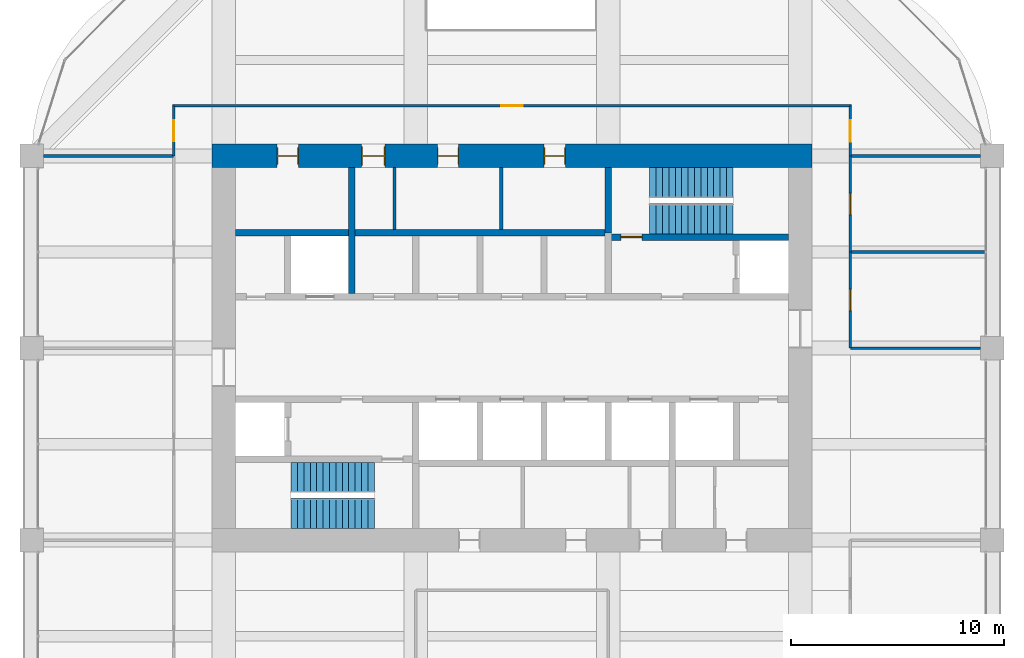
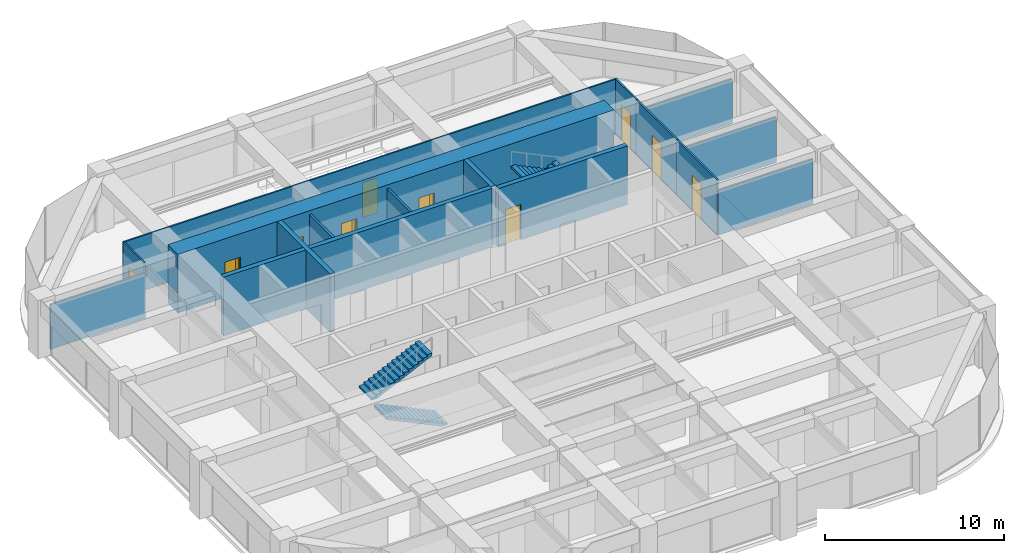
# One storey, part 43 of 44: 16 walls, 10 doors, 4 stair flights, 10 openings, 2 elements without a shape of their own.
"""IFC4 building model written with IfcOpenShell, lengths in metres."""

from ifc_helpers import new_model, si_unit, direction, frame, frame_2d, origin, place, context, subcontext, project, spatial, polyline, rectangle, outline, extrude, material, layer, layer_set, type_object, element, fill, aggregate, save


model = new_model("IFC4")

# Units and contexts
model_context = context("Model", 3, precision=1e-05, world=origin(), true_north=direction((0.0, 1.0)))
body_context = subcontext(model_context, "Body", "Model", "MODEL_VIEW")
ifc_project = project(units=[si_unit("LENGTHUNIT", "METRE"), si_unit("AREAUNIT", "SQUARE_METRE"), si_unit("VOLUMEUNIT", "CUBIC_METRE"), si_unit("PLANEANGLEUNIT", "RADIAN"), si_unit("MASSUNIT", "GRAM", prefix="KILO")], contexts=[model_context])

# Site, building, storey
site_placement = place(None, origin())
site = spatial("IfcSite", under=ifc_project, at=site_placement, CompositionType="ELEMENT")
building_placement = place(site_placement, origin())
building = spatial("IfcBuilding", under=site, at=building_placement, Name="Zorevar Civic Tower", CompositionType="ELEMENT")
storey_placement = place(building_placement, frame((0.0, 0.0, 295.39990234375)))
storey = spatial("IfcBuildingStorey", under=building, at=storey_placement, Name="L72", CompositionType="ELEMENT", Elevation=295.39990234375)

# Wall, openings, doors
ifc_material_1 = material(Name="Concrete C50/60", Category="concrete")
ifc_layer_1 = layer(ifc_material_1, 1.10009765625)
ifc_layer_set_1 = layer_set([ifc_layer_1], Name="Core wall 1100")
wall_type_1 = type_object("IfcWallType", Name="Core wall 1100", PredefinedType="SHEAR", material=ifc_layer_set_1)
wall_1_placement = place(storey_placement, frame((45.550048828125, 36.0, 0.0), z_axis=(0.0, 0.0, 1.0), x_axis=(-1.0, 0.0, 0.0)))
wall_1 = element("IfcWall", 1, at=wall_1_placement, inside=storey, type_object=wall_type_1, Name="Core wall N L72", PredefinedType="SHEAR", context=body_context, shape_type="SweptSolid", body=[
    extrude(rectangle(XDim=28.10009765625, YDim=1.10009765625, at=frame_2d((14.050048828125, 0.0))), origin(), (0.0, 0.0, 1.0), 4.0),
])
opening_1_placement = place(wall_1_placement, frame((11.550048828125, 0.0, 0.0)))
opening_1 = element("IfcOpeningElement", 2, at=opening_1_placement, cuts=wall_1, Name="Opening L72.07", PredefinedType="OPENING", context=body_context, shape_type="SweptSolid", body=[
    extrude(rectangle(XDim=1.0, YDim=2.39990234375, at=frame_2d((0.5, 1.199951171875))), frame((0.0, 0.56005859375, 0.0), z_axis=(0.0, -1.0, 0.0), x_axis=(1.0, 0.0, 0.0)), (0.0, 0.0, 1.0), 1.1201171875),
])
opening_2_placement = place(wall_1_placement, frame((16.550048828125, 0.0, 0.0)))
opening_2 = element("IfcOpeningElement", 3, at=opening_2_placement, cuts=wall_1, Name="Opening L72.08", PredefinedType="OPENING", context=body_context, shape_type="SweptSolid", body=[
    extrude(rectangle(XDim=1.0, YDim=2.39990234375, at=frame_2d((0.5, 1.199951171875))), frame((0.0, 0.56005859375, 0.0), z_axis=(0.0, -1.0, 0.0), x_axis=(1.0, 0.0, 0.0)), (0.0, 0.0, 1.0), 1.1201171875),
])
opening_3_placement = place(wall_1_placement, frame((20.0, 0.0, 0.0)))
opening_3 = element("IfcOpeningElement", 4, at=opening_3_placement, cuts=wall_1, Name="Opening L72.09", PredefinedType="OPENING", context=body_context, shape_type="SweptSolid", body=[
    extrude(rectangle(XDim=1.10009765625, YDim=2.39990234375, at=frame_2d((0.550048828125, 1.199951171875))), frame((0.0, 0.56005859375, 0.0), z_axis=(0.0, -1.0, 0.0), x_axis=(1.0, 0.0, 0.0)), (0.0, 0.0, 1.0), 1.1201171875),
])
opening_4_placement = place(wall_1_placement, frame((24.050048828125, 0.0, 0.0)))
opening_4 = element("IfcOpeningElement", 5, at=opening_4_placement, cuts=wall_1, Name="Opening L72.10", PredefinedType="OPENING", context=body_context, shape_type="SweptSolid", body=[
    extrude(rectangle(XDim=1.0, YDim=2.39990234375, at=frame_2d((0.5, 1.199951171875))), frame((0.0, 0.56005859375, 0.0), z_axis=(0.0, -1.0, 0.0), x_axis=(1.0, 0.0, 0.0)), (0.0, 0.0, 1.0), 1.1201171875),
])
ifc_material_2 = material(Name="Timber door set", Category="wood")
door_type_1 = type_object("IfcDoorType", Name="Door D1 1000x2400", OperationType="SINGLE_SWING_LEFT", PredefinedType="DOOR", material=ifc_material_2)
door_1_placement = place(opening_1_placement, origin())
door_1 = element("IfcDoor", 6, at=door_1_placement, inside=storey, type_object=door_type_1, Name="Door L72 06", OperationType="SINGLE_SWING_LEFT", OverallHeight=2.39990234375, OverallWidth=1.0, PredefinedType="DOOR", context=body_context, shape_type="SweptSolid", body=[
    extrude(rectangle(XDim=1.0, YDim=2.39990234375, at=frame_2d((0.5, 1.199951171875))), frame((0.0, 0.02490234375, 0.0), z_axis=(0.0, -1.0, 0.0), x_axis=(1.0, 0.0, 0.0)), (0.0, 0.0, 1.0), 0.050048828125),
    extrude(rectangle(XDim=0.04, YDim=2.39990234375, at=frame_2d((0.02001953125, 1.199951171875))), frame((0.0, 0.39990234375, 0.0), z_axis=(0.0, -1.0, 0.0), x_axis=(1.0, 0.0, 0.0)), (0.0, 0.0, 1.0), 0.800048828125),
    extrude(rectangle(XDim=0.04, YDim=2.39990234375, at=frame_2d((0.97998046875, 1.199951171875))), frame((0.0, 0.39990234375, 0.0), z_axis=(0.0, -1.0, 0.0), x_axis=(1.0, 0.0, 0.0)), (0.0, 0.0, 1.0), 0.800048828125),
    extrude(rectangle(XDim=1.0, YDim=0.04, at=frame_2d((0.5, 2.3798828125))), frame((0.0, 0.39990234375, 0.0), z_axis=(0.0, -1.0, 0.0), x_axis=(1.0, 0.0, 0.0)), (0.0, 0.0, 1.0), 0.800048828125),
])
fill(opening_1, door_1)
door_2_placement = place(opening_2_placement, origin())
door_2 = element("IfcDoor", 7, at=door_2_placement, inside=storey, type_object=door_type_1, Name="Door L72 07", OperationType="SINGLE_SWING_RIGHT", OverallHeight=2.39990234375, OverallWidth=1.0, PredefinedType="DOOR", context=body_context, shape_type="SweptSolid", body=[
    extrude(rectangle(XDim=1.0, YDim=2.39990234375, at=frame_2d((0.5, 1.199951171875))), frame((0.0, 0.02490234375, 0.0), z_axis=(0.0, -1.0, 0.0), x_axis=(1.0, 0.0, 0.0)), (0.0, 0.0, 1.0), 0.050048828125),
    extrude(rectangle(XDim=0.04, YDim=2.39990234375, at=frame_2d((0.02001953125, 1.199951171875))), frame((0.0, 0.39990234375, 0.0), z_axis=(0.0, -1.0, 0.0), x_axis=(1.0, 0.0, 0.0)), (0.0, 0.0, 1.0), 0.800048828125),
    extrude(rectangle(XDim=0.04, YDim=2.39990234375, at=frame_2d((0.97998046875, 1.199951171875))), frame((0.0, 0.39990234375, 0.0), z_axis=(0.0, -1.0, 0.0), x_axis=(1.0, 0.0, 0.0)), (0.0, 0.0, 1.0), 0.800048828125),
    extrude(rectangle(XDim=1.0, YDim=0.04, at=frame_2d((0.5, 2.3798828125))), frame((0.0, 0.39990234375, 0.0), z_axis=(0.0, -1.0, 0.0), x_axis=(1.0, 0.0, 0.0)), (0.0, 0.0, 1.0), 0.800048828125),
])
fill(opening_2, door_2)
door_3_placement = place(opening_4_placement, origin())
door_3 = element("IfcDoor", 8, at=door_3_placement, inside=storey, type_object=door_type_1, Name="Door L72 09", OperationType="SINGLE_SWING_RIGHT", OverallHeight=2.39990234375, OverallWidth=1.0, PredefinedType="DOOR", context=body_context, shape_type="SweptSolid", body=[
    extrude(rectangle(XDim=1.0, YDim=2.39990234375, at=frame_2d((0.5, 1.199951171875))), frame((0.0, 0.02490234375, 0.0), z_axis=(0.0, -1.0, 0.0), x_axis=(1.0, 0.0, 0.0)), (0.0, 0.0, 1.0), 0.050048828125),
    extrude(rectangle(XDim=0.04, YDim=2.39990234375, at=frame_2d((0.02001953125, 1.199951171875))), frame((0.0, 0.39990234375, 0.0), z_axis=(0.0, -1.0, 0.0), x_axis=(1.0, 0.0, 0.0)), (0.0, 0.0, 1.0), 0.800048828125),
    extrude(rectangle(XDim=0.04, YDim=2.39990234375, at=frame_2d((0.97998046875, 1.199951171875))), frame((0.0, 0.39990234375, 0.0), z_axis=(0.0, -1.0, 0.0), x_axis=(1.0, 0.0, 0.0)), (0.0, 0.0, 1.0), 0.800048828125),
    extrude(rectangle(XDim=1.0, YDim=0.04, at=frame_2d((0.5, 2.3798828125))), frame((0.0, 0.39990234375, 0.0), z_axis=(0.0, -1.0, 0.0), x_axis=(1.0, 0.0, 0.0)), (0.0, 0.0, 1.0), 0.800048828125),
])
fill(opening_4, door_3)
ifc_material_3 = material(Name="Timber door set", Category="wood")
door_type_2 = type_object("IfcDoorType", Name="Door D5 1100x2400", OperationType="SINGLE_SWING_LEFT", PredefinedType="DOOR", material=ifc_material_3)
door_4_placement = place(opening_3_placement, origin())
door_4 = element("IfcDoor", 9, at=door_4_placement, inside=storey, type_object=door_type_2, Name="Door L72 08", OperationType="SINGLE_SWING_RIGHT", OverallHeight=2.39990234375, OverallWidth=1.10009765625, PredefinedType="DOOR", context=body_context, shape_type="SweptSolid", body=[
    extrude(rectangle(XDim=1.10009765625, YDim=2.39990234375, at=frame_2d((0.550048828125, 1.199951171875))), frame((0.0, 0.02490234375, 0.0), z_axis=(0.0, -1.0, 0.0), x_axis=(1.0, 0.0, 0.0)), (0.0, 0.0, 1.0), 0.050048828125),
    extrude(rectangle(XDim=0.04, YDim=2.39990234375, at=frame_2d((0.02001953125, 1.199951171875))), frame((0.0, 0.43994140625, 0.0), z_axis=(0.0, -1.0, 0.0), x_axis=(1.0, 0.0, 0.0)), (0.0, 0.0, 1.0), 0.880126953125),
    extrude(rectangle(XDim=0.04, YDim=2.39990234375, at=frame_2d((1.080078125, 1.199951171875))), frame((0.0, 0.43994140625, 0.0), z_axis=(0.0, -1.0, 0.0), x_axis=(1.0, 0.0, 0.0)), (0.0, 0.0, 1.0), 0.880126953125),
    extrude(rectangle(XDim=1.10009765625, YDim=0.04, at=frame_2d((0.550048828125, 2.3798828125))), frame((0.0, 0.43994140625, 0.0), z_axis=(0.0, -1.0, 0.0), x_axis=(1.0, 0.0, 0.0)), (0.0, 0.0, 1.0), 0.880126953125),
])
fill(opening_3, door_4)

# Wall, opening, door
ifc_material_4 = material(Name="Laminated glass in black aluminium frame", Category="aluminium")
ifc_layer_2 = layer(ifc_material_4, 0.10009765625)
ifc_layer_set_2 = layer_set([ifc_layer_2], Name="Glazed partition 100")
wall_type_2 = type_object("IfcWallType", Name="Glazed partition 100", PredefinedType="PARTITIONING", material=ifc_layer_set_2)
wall_2_placement = place(storey_placement, frame((15.60009765625, 38.35009765625, 0.0), z_axis=(0.0, 0.0, 1.0), x_axis=(1.0, 0.0, 0.0)))
wall_2 = element("IfcWall", 10, at=wall_2_placement, inside=storey, type_object=wall_type_2, Name="Glazed partition 100 L72", PredefinedType="PARTITIONING", context=body_context, shape_type="SweptSolid", body=[
    extrude(rectangle(XDim=31.7998046875, YDim=0.10009765625, at=frame_2d((15.89990234375, 0.0))), origin(), (0.0, 0.0, 1.0), 3.75),
])
opening_5_placement = place(wall_2_placement, frame((15.39990234375, 0.0, 0.0)))
opening_5 = element("IfcOpeningElement", 11, at=opening_5_placement, cuts=wall_2, Name="Opening L72.25", PredefinedType="OPENING", context=body_context, shape_type="SweptSolid", body=[
    extrude(rectangle(XDim=1.0, YDim=2.39990234375, at=frame_2d((0.5, 1.199951171875))), frame((0.0, 0.06005859375, 0.0), z_axis=(0.0, -1.0, 0.0), x_axis=(1.0, 0.0, 0.0)), (0.0, 0.0, 1.0), 0.1201171875),
])
ifc_material_5 = material(Name="Timber door set", Category="wood")
door_type_3 = type_object("IfcDoorType", Name="Glazed door GD1 1000x2400", OperationType="SINGLE_SWING_LEFT", PredefinedType="DOOR", material=ifc_material_5)
door_5_placement = place(opening_5_placement, origin())
door_5 = element("IfcDoor", 12, at=door_5_placement, inside=storey, type_object=door_type_3, Name="Door L72 D1", OperationType="SINGLE_SWING_RIGHT", OverallHeight=2.39990234375, OverallWidth=1.0, PredefinedType="DOOR", context=body_context, shape_type="SweptSolid", body=[
    extrude(rectangle(XDim=1.0, YDim=2.39990234375, at=frame_2d((0.5, 1.199951171875))), frame((0.0, 0.02001953125, 0.0), z_axis=(0.0, -1.0, 0.0), x_axis=(1.0, 0.0, 0.0)), (0.0, 0.0, 1.0), 0.0400390625),
])
fill(opening_5, door_5)

wall_3_placement = place(storey_placement, frame((15.64990234375, 36.010009765625, 0.0), z_axis=(0.0, 0.0, 1.0), x_axis=(0.0, 1.0, 0.0)))
wall_3 = element("IfcWall", 13, at=wall_3_placement, inside=storey, type_object=wall_type_2, Name="Glazed partition 100 L72", PredefinedType="PARTITIONING", context=body_context, shape_type="SweptSolid", body=[
    extrude(rectangle(XDim=2.340087890625, YDim=0.10009765625, at=frame_2d((1.169921875, 0.0))), origin(), (0.0, 0.0, 1.0), 3.75),
])
opening_6_placement = place(wall_3_placement, frame((0.669921875, 0.0, 0.0)))
opening_6 = element("IfcOpeningElement", 14, at=opening_6_placement, cuts=wall_3, Name="Opening L72.29", PredefinedType="OPENING", context=body_context, shape_type="SweptSolid", body=[
    extrude(rectangle(XDim=1.0, YDim=2.39990234375, at=frame_2d((0.5, 1.199951171875))), frame((0.0, 0.06005859375, 0.0), z_axis=(0.0, -1.0, 0.0), x_axis=(1.0, 0.0, 0.0)), (0.0, 0.0, 1.0), 0.1201171875),
])
door_6_placement = place(opening_6_placement, origin())
door_6 = element("IfcDoor", 15, at=door_6_placement, inside=storey, type_object=door_type_3, Name="Door L72 D1", OperationType="SINGLE_SWING_RIGHT", OverallHeight=2.39990234375, OverallWidth=1.0, PredefinedType="DOOR", context=body_context, shape_type="SweptSolid", body=[
    extrude(rectangle(XDim=1.0, YDim=2.39990234375, at=frame_2d((0.5, 1.199951171875))), frame((0.0, 0.02001953125, 0.0), z_axis=(0.0, -1.0, 0.0), x_axis=(1.0, 0.0, 0.0)), (0.0, 0.0, 1.0), 0.0400390625),
])
fill(opening_6, door_6)

wall_4_placement = place(storey_placement, frame((47.35009765625, 36.0, 0.0), z_axis=(0.0, 0.0, 1.0), x_axis=(0.0, 1.0, 0.0)))
wall_4 = element("IfcWall", 16, at=wall_4_placement, inside=storey, type_object=wall_type_2, Name="Glazed partition 100 L72", PredefinedType="PARTITIONING", context=body_context, shape_type="SweptSolid", body=[
    extrude(rectangle(XDim=2.35009765625, YDim=0.10009765625, at=frame_2d((1.175048828125, 0.0))), origin(), (0.0, 0.0, 1.0), 3.75),
])
opening_7_placement = place(wall_4_placement, frame((0.675048828125, 0.0, 0.0)))
opening_7 = element("IfcOpeningElement", 17, at=opening_7_placement, cuts=wall_4, Name="Opening L72.34", PredefinedType="OPENING", context=body_context, shape_type="SweptSolid", body=[
    extrude(rectangle(XDim=1.0, YDim=2.39990234375, at=frame_2d((0.5, 1.199951171875))), frame((0.0, 0.06005859375, 0.0), z_axis=(0.0, -1.0, 0.0), x_axis=(1.0, 0.0, 0.0)), (0.0, 0.0, 1.0), 0.1201171875),
])
door_7_placement = place(opening_7_placement, origin())
door_7 = element("IfcDoor", 18, at=door_7_placement, inside=storey, type_object=door_type_3, Name="Door L72 D1", OperationType="SINGLE_SWING_LEFT", OverallHeight=2.39990234375, OverallWidth=1.0, PredefinedType="DOOR", context=body_context, shape_type="SweptSolid", body=[
    extrude(rectangle(XDim=1.0, YDim=2.39990234375, at=frame_2d((0.5, 1.199951171875))), frame((0.0, 0.02001953125, 0.0), z_axis=(0.0, -1.0, 0.0), x_axis=(1.0, 0.0, 0.0)), (0.0, 0.0, 1.0), 0.0400390625),
])
fill(opening_7, door_7)

ifc_material_6 = material(Name="Concrete C40/50", Category="concrete")
ifc_layer_3 = layer(ifc_material_6, 0.300048828125)
ifc_layer_set_3 = layer_set([ifc_layer_3], Name="Inner core wall 300")
wall_type_3 = type_object("IfcWallType", Name="Inner core wall 300", PredefinedType="SHEAR", material=ifc_layer_set_3)
wall_5_placement = place(storey_placement, frame((36.14990234375, 32.199951171875, 0.0), z_axis=(0.0, 0.0, 1.0), x_axis=(1.0, 0.0, 0.0)))
wall_5 = element("IfcWall", 19, at=wall_5_placement, inside=storey, type_object=wall_type_3, Name="Inner core wall N00 L72", PredefinedType="SHEAR", context=body_context, shape_type="SweptSolid", body=[
    extrude(rectangle(XDim=8.300048828125, YDim=0.300048828125, at=frame_2d((4.14990234375, 0.0))), origin(), (0.0, 0.0, 1.0), 4.0),
])
opening_8_placement = place(wall_5_placement, frame((0.449951171875, 0.0, 0.0)))
opening_8 = element("IfcOpeningElement", 20, at=opening_8_placement, cuts=wall_5, Name="Opening L72.12", PredefinedType="OPENING", context=body_context, shape_type="SweptSolid", body=[
    extrude(rectangle(XDim=1.0, YDim=2.39990234375, at=frame_2d((0.5, 1.199951171875))), frame((0.0, 0.159912109375, 0.0), z_axis=(0.0, -1.0, 0.0), x_axis=(1.0, 0.0, 0.0)), (0.0, 0.0, 1.0), 0.320068359375),
])
ifc_material_7 = material(Name="Steel door set", Category="steel")
door_type_4 = type_object("IfcDoorType", Name="Fire door FD1 1000x2400", OperationType="SINGLE_SWING_LEFT", PredefinedType="DOOR", material=ifc_material_7)
door_8_placement = place(opening_8_placement, origin())
door_8 = element("IfcDoor", 21, at=door_8_placement, inside=storey, type_object=door_type_4, Name="Door L72 11", OperationType="SINGLE_SWING_RIGHT", OverallHeight=2.39990234375, OverallWidth=1.0, PredefinedType="DOOR", context=body_context, shape_type="SweptSolid", body=[
    extrude(rectangle(XDim=1.0, YDim=2.39990234375, at=frame_2d((0.5, 1.199951171875))), frame((0.0, 0.030029296875, 0.0), z_axis=(0.0, -1.0, 0.0), x_axis=(1.0, 0.0, 0.0)), (0.0, 0.0, 1.0), 0.06005859375),
])
fill(opening_8, door_8)

# Walls
wall_6_placement = place(storey_placement, frame((36.0, 32.39990234375, 0.0), z_axis=(0.0, 0.0, 1.0), x_axis=(0.0, 1.0, 0.0)))
element("IfcWall", 22, at=wall_6_placement, inside=storey, type_object=wall_type_3, Name="Inner core wall N01 L72", PredefinedType="SHEAR", context=body_context, shape_type="SweptSolid", body=[
    extrude(rectangle(XDim=3.050048828125, YDim=0.300048828125, at=frame_2d((1.52490234375, 0.0))), origin(), (0.0, 0.0, 1.0), 4.0),
])
wall_7_placement = place(storey_placement, frame((18.550048828125, 32.39990234375, 0.0), z_axis=(0.0, 0.0, 1.0), x_axis=(1.0, 0.0, 0.0)))
element("IfcWall", 23, at=wall_7_placement, inside=storey, type_object=wall_type_3, Name="Inner core wall N04 L72", PredefinedType="SHEAR", context=body_context, shape_type="SweptSolid", body=[
    extrude(rectangle(XDim=17.300048828125, YDim=0.300048828125, at=frame_2d((8.64990234375, 0.0))), origin(), (0.0, 0.0, 1.0), 4.0),
])
wall_8_placement = place(storey_placement, frame((24.0, 29.550048828125, 0.0), z_axis=(0.0, 0.0, 1.0), x_axis=(0.0, 1.0, 0.0)))
element("IfcWall", 24, at=wall_8_placement, inside=storey, type_object=wall_type_3, Name="Inner core wall N08 L72", PredefinedType="SHEAR", context=body_context, shape_type="SweptSolid", body=[
    extrude(rectangle(XDim=5.89990234375, YDim=0.300048828125, at=frame_2d((2.949951171875, 0.0))), origin(), (0.0, 0.0, 1.0), 4.0),
])
ifc_material_8 = material(Name="Gypsum board on steel studs", Category="steel")
ifc_layer_4 = layer(ifc_material_8, 0.1201171875)
ifc_layer_set_4 = layer_set([ifc_layer_4], Name="Partition 120")
wall_type_4 = type_object("IfcWallType", Name="Partition 120", PredefinedType="PARTITIONING", material=ifc_layer_set_4)
wall_9_placement = place(storey_placement, frame((47.35009765625, 27.0, 0.0), z_axis=(0.0, 0.0, 1.0), x_axis=(1.0, 0.0, 0.0)))
element("IfcWall", 25, at=wall_9_placement, inside=storey, type_object=wall_type_4, Name="Partition 120 L72", PredefinedType="PARTITIONING", context=body_context, shape_type="SweptSolid", body=[
    extrude(rectangle(XDim=6.099853515625, YDim=0.1201171875, at=frame_2d((3.0498046875, 0.0))), origin(), (0.0, 0.0, 1.0), 3.050048828125),
])
wall_10_placement = place(storey_placement, frame((47.35009765625, 31.5, 0.0), z_axis=(0.0, 0.0, 1.0), x_axis=(1.0, 0.0, 0.0)))
element("IfcWall", 26, at=wall_10_placement, inside=storey, type_object=wall_type_4, Name="Partition 120 L72", PredefinedType="PARTITIONING", context=body_context, shape_type="SweptSolid", body=[
    extrude(rectangle(XDim=6.33984375, YDim=0.1201171875, at=frame_2d((3.169921875, 0.0))), origin(), (0.0, 0.0, 1.0), 3.10009765625),
])
for number, where, z_axis, x_axis, name in (
    (27, (9.550048828125, 36.0, 0.0), (0.0, 0.0, 1.0), (1.0, 0.0, 0.0), "Partition 120 L72"),
    (28, (47.35009765625, 36.0, 0.0), (0.0, 0.0, 1.0), (1.0, 0.0, 0.0), "Partition 120 L72"),
):
    element("IfcWall", number, at=place(storey_placement, frame(where, z_axis=z_axis, x_axis=x_axis)), inside=storey, type_object=wall_type_4, Name=name, PredefinedType="PARTITIONING", context=body_context, shape_type="SweptSolid", body=[
        extrude(rectangle(XDim=6.099853515625, YDim=0.1201171875, at=frame_2d((3.0498046875, 0.0))), origin(), (0.0, 0.0, 1.0), 3.050048828125),
    ])

# Wall, opening, door
wall_11_placement = place(storey_placement, frame((47.35009765625, 27.0, 0.0), z_axis=(0.0, 0.0, 1.0), x_axis=(0.0, 1.0, 0.0)))
wall_11 = element("IfcWall", 29, at=wall_11_placement, inside=storey, type_object=wall_type_4, Name="Partition 120 L72", PredefinedType="PARTITIONING", context=body_context, shape_type="SweptSolid", body=[
    extrude(rectangle(XDim=4.5, YDim=0.1201171875, at=frame_2d((2.25, 0.0))), origin(), (0.0, 0.0, 1.0), 3.75),
])
opening_9_placement = place(wall_11_placement, frame((1.75, 0.0, 0.0)))
opening_9 = element("IfcOpeningElement", 30, at=opening_9_placement, cuts=wall_11, Name="Opening L72.32", PredefinedType="OPENING", context=body_context, shape_type="SweptSolid", body=[
    extrude(rectangle(XDim=1.0, YDim=2.39990234375, at=frame_2d((0.5, 1.199951171875))), frame((0.0, 0.070068359375, 0.0), z_axis=(0.0, -1.0, 0.0), x_axis=(1.0, 0.0, 0.0)), (0.0, 0.0, 1.0), 0.14013671875),
])
door_9_placement = place(opening_9_placement, origin())
door_9 = element("IfcDoor", 31, at=door_9_placement, inside=storey, type_object=door_type_1, Name="Door L72 D1", OperationType="SINGLE_SWING_LEFT", OverallHeight=2.39990234375, OverallWidth=1.0, PredefinedType="DOOR", context=body_context, shape_type="SweptSolid", body=[
    extrude(rectangle(XDim=1.0, YDim=2.39990234375, at=frame_2d((0.5, 1.199951171875))), frame((0.0, 0.02490234375, 0.0), z_axis=(0.0, -1.0, 0.0), x_axis=(1.0, 0.0, 0.0)), (0.0, 0.0, 1.0), 0.050048828125),
])
fill(opening_9, door_9)

wall_12_placement = place(storey_placement, frame((47.35009765625, 31.5, 0.0), z_axis=(0.0, 0.0, 1.0), x_axis=(0.0, 1.0, 0.0)))
wall_12 = element("IfcWall", 32, at=wall_12_placement, inside=storey, type_object=wall_type_4, Name="Partition 120 L72", PredefinedType="PARTITIONING", context=body_context, shape_type="SweptSolid", body=[
    extrude(rectangle(XDim=4.5, YDim=0.1201171875, at=frame_2d((2.25, 0.0))), origin(), (0.0, 0.0, 1.0), 3.75),
])
opening_10_placement = place(wall_12_placement, frame((1.75, 0.0, 0.0)))
opening_10 = element("IfcOpeningElement", 33, at=opening_10_placement, cuts=wall_12, Name="Opening L72.33", PredefinedType="OPENING", context=body_context, shape_type="SweptSolid", body=[
    extrude(rectangle(XDim=1.0, YDim=2.39990234375, at=frame_2d((0.5, 1.199951171875))), frame((0.0, 0.070068359375, 0.0), z_axis=(0.0, -1.0, 0.0), x_axis=(1.0, 0.0, 0.0)), (0.0, 0.0, 1.0), 0.14013671875),
])
door_10_placement = place(opening_10_placement, origin())
door_10 = element("IfcDoor", 34, at=door_10_placement, inside=storey, type_object=door_type_1, Name="Door L72 D1", OperationType="SINGLE_SWING_LEFT", OverallHeight=2.39990234375, OverallWidth=1.0, PredefinedType="DOOR", context=body_context, shape_type="SweptSolid", body=[
    extrude(rectangle(XDim=1.0, YDim=2.39990234375, at=frame_2d((0.5, 1.199951171875))), frame((0.0, 0.02490234375, 0.0), z_axis=(0.0, -1.0, 0.0), x_axis=(1.0, 0.0, 0.0)), (0.0, 0.0, 1.0), 0.050048828125),
])
fill(opening_10, door_10)

# Walls
ifc_material_9 = material(Name="Gypsum board on steel studs, moisture resistant", Category="steel")
ifc_layer_5 = layer(ifc_material_9, 0.14990234375)
ifc_layer_set_5 = layer_set([ifc_layer_5], Name="WC partition 150")
wall_type_5 = type_object("IfcWallType", Name="WC partition 150", PredefinedType="PARTITIONING", material=ifc_layer_set_5)
for number, where, z_axis, x_axis, name in (
    (35, (31.0, 32.550048828125, 0.0), (0.0, 0.0, 1.0), (0.0, 1.0, 0.0), "WC partition L72"),
    (36, (26.0, 32.550048828125, 0.0), (0.0, 0.0, 1.0), (0.0, 1.0, 0.0), "WC partition L72"),
):
    element("IfcWall", number, at=place(storey_placement, frame(where, z_axis=z_axis, x_axis=x_axis)), inside=storey, type_object=wall_type_5, Name=name, PredefinedType="PARTITIONING", context=body_context, shape_type="SweptSolid", body=[
        extrude(rectangle(XDim=2.89990234375, YDim=0.14990234375, at=frame_2d((1.449951171875, 0.0))), origin(), (0.0, 0.0, 1.0), 3.75),
    ])

# Stair, stair flights
ifc_material_10 = material(Name="Precast concrete C40/50", Category="concrete")
stair_type = type_object("IfcStairType", Name="Stair ST 28R", PredefinedType="HALF_TURN_STAIR", material=ifc_material_10)
stair_1_placement = place(storey_placement, origin())
stair_1 = element("IfcStair", 37, at=stair_1_placement, inside=storey, type_object=stair_type, Name="Stair ST1 L72", PredefinedType="HALF_TURN_STAIR")
ifc_material_11 = material(Name="Precast concrete C40/50", Category="concrete")
stair_flight_type = type_object("IfcStairFlightType", Name="Stair flight", PredefinedType="STRAIGHT", material=ifc_material_11)
stair_flight_1_placement = place(storey_placement, frame((25.050048828125, 19.262451171875, 0.0), z_axis=(0.0, 0.0, 1.0), x_axis=(-1.0, 0.0, 0.0)))
stair_flight_1 = element("IfcStairFlight", 38, at=stair_flight_1_placement, type_object=stair_flight_type, Name="ST1 flight 1", NumberOfRisers=14, NumberOfTreads=13, PredefinedType="STRAIGHT", RiserHeight=0.142857143, TreadLength=0.3, context=body_context, shape_type="SweptSolid", body=[
    extrude(outline(polyline([(0.0, 0.0), (0.0, 0.142822265625), (0.300048828125, 0.142822265625), (0.300048828125, 0.28564453125), (0.60009765625, 0.28564453125), (0.60009765625, 0.428466796875), (0.89990234375, 0.428466796875), (0.89990234375, 0.571533203125), (1.199951171875, 0.571533203125), (1.199951171875, 0.71435546875), (1.5, 0.71435546875), (1.5, 0.857177734375), (1.800048828125, 0.857177734375), (1.800048828125, 1.0), (2.10009765625, 1.0), (2.10009765625, 1.142822265625), (2.39990234375, 1.142822265625), (2.39990234375, 1.28564453125), (2.699951171875, 1.28564453125), (2.699951171875, 1.428466796875), (3.0, 1.428466796875), (3.0, 1.571533203125), (3.300048828125, 1.571533203125), (3.300048828125, 1.71435546875), (3.60009765625, 1.71435546875), (3.60009765625, 1.857177734375), (3.89990234375, 1.857177734375), (3.89990234375, 2.0), (3.89990234375, 1.691162109375), (0.3486328125, 0.0), (0.0, 0.0)])), frame((0.0, 0.71240234375, 0.0), z_axis=(0.0, -1.0, 0.0), x_axis=(1.0, 0.0, 0.0)), (0.0, 0.0, 1.0), 1.425048828125),
])
stair_flight_2_placement = place(storey_placement, frame((21.14990234375, 20.9375, 2.0), z_axis=(0.0, 0.0, 1.0), x_axis=(1.0, 0.0, 0.0)))
stair_flight_2 = element("IfcStairFlight", 39, at=stair_flight_2_placement, type_object=stair_flight_type, Name="ST1 flight 2", NumberOfRisers=14, NumberOfTreads=13, PredefinedType="STRAIGHT", RiserHeight=0.142857143, TreadLength=0.3, context=body_context, shape_type="SweptSolid", body=[
    extrude(outline(polyline([(0.0, 0.0), (0.0, 0.142822265625), (0.300048828125, 0.142822265625), (0.300048828125, 0.28564453125), (0.60009765625, 0.28564453125), (0.60009765625, 0.428466796875), (0.89990234375, 0.428466796875), (0.89990234375, 0.571533203125), (1.199951171875, 0.571533203125), (1.199951171875, 0.71435546875), (1.5, 0.71435546875), (1.5, 0.857177734375), (1.800048828125, 0.857177734375), (1.800048828125, 1.0), (2.10009765625, 1.0), (2.10009765625, 1.142822265625), (2.39990234375, 1.142822265625), (2.39990234375, 1.28564453125), (2.699951171875, 1.28564453125), (2.699951171875, 1.428466796875), (3.0, 1.428466796875), (3.0, 1.571533203125), (3.300048828125, 1.571533203125), (3.300048828125, 1.71435546875), (3.60009765625, 1.71435546875), (3.60009765625, 1.857177734375), (3.89990234375, 1.857177734375), (3.89990234375, 2.0), (3.89990234375, 1.691162109375), (0.3486328125, 0.0), (0.0, 0.0)])), frame((0.0, 0.71240234375, 0.0), z_axis=(0.0, -1.0, 0.0), x_axis=(1.0, 0.0, 0.0)), (0.0, 0.0, 1.0), 1.425048828125),
])
aggregate(stair_1, [stair_flight_1, stair_flight_2])

stair_2_placement = place(storey_placement, origin())
stair_2 = element("IfcStair", 40, at=stair_2_placement, inside=storey, type_object=stair_type, Name="Stair ST2 L72", PredefinedType="HALF_TURN_STAIR")
stair_flight_3_placement = place(storey_placement, frame((37.949951171875, 34.737548828125, 0.0), z_axis=(0.0, 0.0, 1.0), x_axis=(1.0, 0.0, 0.0)))
stair_flight_3 = element("IfcStairFlight", 41, at=stair_flight_3_placement, type_object=stair_flight_type, Name="ST2 flight 1", NumberOfRisers=14, NumberOfTreads=13, PredefinedType="STRAIGHT", RiserHeight=0.142857143, TreadLength=0.3, context=body_context, shape_type="SweptSolid", body=[
    extrude(outline(polyline([(0.0, 0.0), (0.0, 0.142822265625), (0.300048828125, 0.142822265625), (0.300048828125, 0.28564453125), (0.60009765625, 0.28564453125), (0.60009765625, 0.428466796875), (0.89990234375, 0.428466796875), (0.89990234375, 0.571533203125), (1.199951171875, 0.571533203125), (1.199951171875, 0.71435546875), (1.5, 0.71435546875), (1.5, 0.857177734375), (1.800048828125, 0.857177734375), (1.800048828125, 1.0), (2.10009765625, 1.0), (2.10009765625, 1.142822265625), (2.39990234375, 1.142822265625), (2.39990234375, 1.28564453125), (2.699951171875, 1.28564453125), (2.699951171875, 1.428466796875), (3.0, 1.428466796875), (3.0, 1.571533203125), (3.300048828125, 1.571533203125), (3.300048828125, 1.71435546875), (3.60009765625, 1.71435546875), (3.60009765625, 1.857177734375), (3.89990234375, 1.857177734375), (3.89990234375, 2.0), (3.89990234375, 1.691162109375), (0.3486328125, 0.0), (0.0, 0.0)])), frame((0.0, 0.71240234375, 0.0), z_axis=(0.0, -1.0, 0.0), x_axis=(1.0, 0.0, 0.0)), (0.0, 0.0, 1.0), 1.425048828125),
])
stair_flight_4_placement = place(storey_placement, frame((41.85009765625, 33.0625, 2.0), z_axis=(0.0, 0.0, 1.0), x_axis=(-1.0, 0.0, 0.0)))
stair_flight_4 = element("IfcStairFlight", 42, at=stair_flight_4_placement, type_object=stair_flight_type, Name="ST2 flight 2", NumberOfRisers=14, NumberOfTreads=13, PredefinedType="STRAIGHT", RiserHeight=0.142857143, TreadLength=0.3, context=body_context, shape_type="SweptSolid", body=[
    extrude(outline(polyline([(0.0, 0.0), (0.0, 0.142822265625), (0.300048828125, 0.142822265625), (0.300048828125, 0.28564453125), (0.60009765625, 0.28564453125), (0.60009765625, 0.428466796875), (0.89990234375, 0.428466796875), (0.89990234375, 0.571533203125), (1.199951171875, 0.571533203125), (1.199951171875, 0.71435546875), (1.5, 0.71435546875), (1.5, 0.857177734375), (1.800048828125, 0.857177734375), (1.800048828125, 1.0), (2.10009765625, 1.0), (2.10009765625, 1.142822265625), (2.39990234375, 1.142822265625), (2.39990234375, 1.28564453125), (2.699951171875, 1.28564453125), (2.699951171875, 1.428466796875), (3.0, 1.428466796875), (3.0, 1.571533203125), (3.300048828125, 1.571533203125), (3.300048828125, 1.71435546875), (3.60009765625, 1.71435546875), (3.60009765625, 1.857177734375), (3.89990234375, 1.857177734375), (3.89990234375, 2.0), (3.89990234375, 1.691162109375), (0.3486328125, 0.0), (0.0, 0.0)])), frame((0.0, 0.71240234375, 0.0), z_axis=(0.0, -1.0, 0.0), x_axis=(1.0, 0.0, 0.0)), (0.0, 0.0, 1.0), 1.425048828125),
])
aggregate(stair_2, [stair_flight_3, stair_flight_4])

save(model, "model.ifc")
